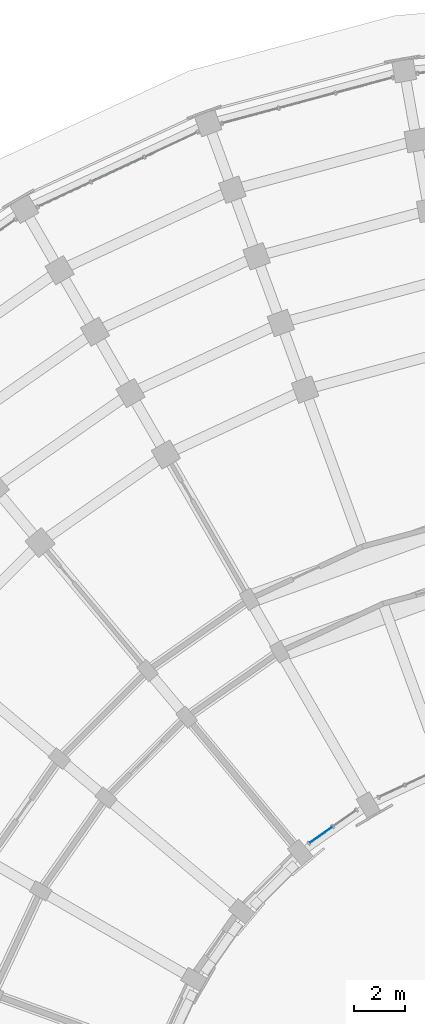
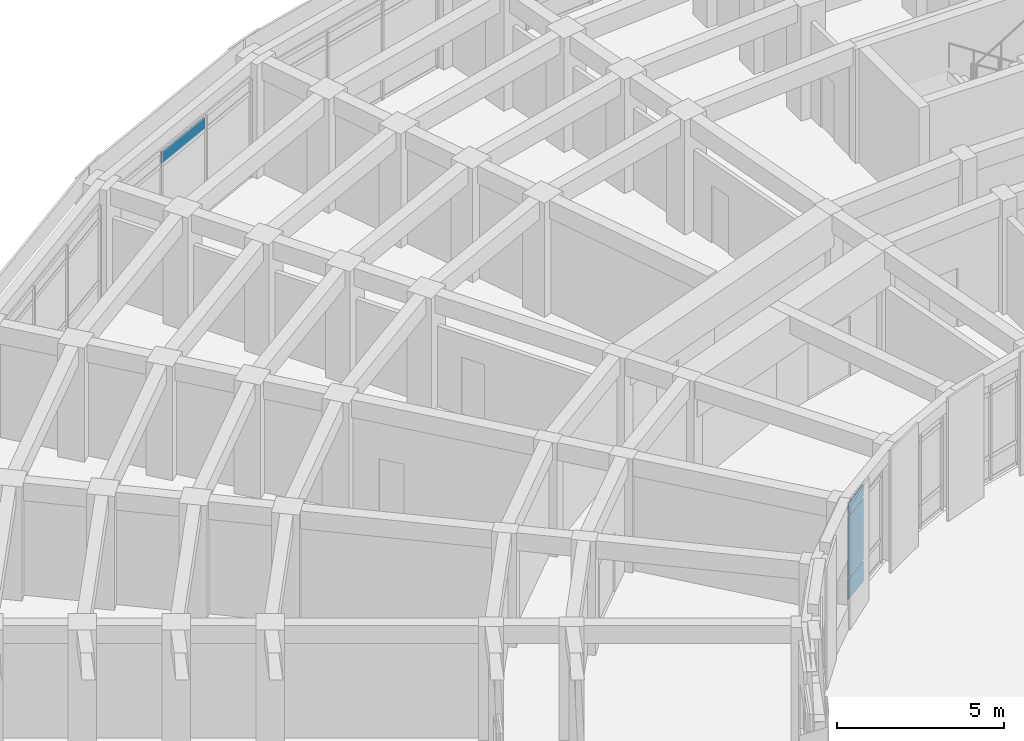
# One storey, part 65 of 135: 4 plates, 2 elements without a shape of their own.
"""IFC4 building model written with IfcOpenShell, lengths in metres."""

from ifc_helpers import new_model, si_unit, direction, frame, origin, origin_2d, place, context, subcontext, project, spatial, rectangle, extrude, material, layer, layer_set, type_object, element, aggregate, save


model = new_model("IFC4")

# Units and contexts
model_context = context("Model", 3, precision=1e-05, world=origin(), true_north=direction((0.0, 1.0)))
body_context = subcontext(model_context, "Body", "Model", "MODEL_VIEW")
ifc_project = project(units=[si_unit("LENGTHUNIT", "METRE"), si_unit("AREAUNIT", "SQUARE_METRE"), si_unit("VOLUMEUNIT", "CUBIC_METRE"), si_unit("PLANEANGLEUNIT", "RADIAN"), si_unit("MASSUNIT", "GRAM", prefix="KILO")], contexts=[model_context])

# Site, building, storey
site_placement = place(None, origin())
site = spatial("IfcSite", under=ifc_project, at=site_placement, CompositionType="ELEMENT")
building_placement = place(site_placement, origin())
building = spatial("IfcBuilding", under=site, at=building_placement, Name="Kiranvali Square Residences", CompositionType="ELEMENT")
storey_placement = place(building_placement, origin())
storey = spatial("IfcBuildingStorey", under=building, at=storey_placement, Name="L00", CompositionType="ELEMENT", Elevation=0.0)

# Curtain wall, plate
ifc_material_1 = material(Name="Anodised bronze aluminium framing", Category="aluminium")
curtain_wall_type = type_object("IfcCurtainWallType", Name="CW-RET-SHOP", PredefinedType="USERDEFINED", material=ifc_material_1)
curtain_wall_1_placement = place(storey_placement, origin())
curtain_wall_1 = element("IfcCurtainWall", 1, at=curtain_wall_1_placement, inside=storey, type_object=curtain_wall_type, Name="Block A L00 rounded-corner arcade curtain wall 3", ObjectType="CURTAIN WALL", PredefinedType="USERDEFINED")
ifc_material_2 = material(Name="Solar-control low-e double glazing", Category="glass")
ifc_layer_1 = layer(ifc_material_2, 0.028076171875)
ifc_layer_set_1 = layer_set([ifc_layer_1], Name="Solar-control low-e double glazing")
plate_type_1 = type_object("IfcPlateType", Name="PLT-CW-GLZ", PredefinedType="CURTAIN_PANEL", material=ifc_layer_set_1)
plate_1_placement = place(storey_placement, frame((28.89697265625, 129.195556640625, 3.14013671875), z_axis=(0.0, 0.0, 1.0), x_axis=(-0.906307787037, -0.422618261741, 0.0)))
plate_1 = element("IfcPlate", 2, at=plate_1_placement, type_object=plate_type_1, Name="CW-A-L00-CRV-02 glazed panel 2.3", PredefinedType="CURTAIN_PANEL", context=body_context, shape_type="SweptSolid", body=[
    extrude(rectangle(XDim=2.239501953125, YDim=0.028076171875, at=origin_2d()), origin(), (0.0, 0.0, 1.0), 0.429931640625),
])
aggregate(curtain_wall_1, [plate_1])

# Curtain wall, plates
curtain_wall_2_placement = place(storey_placement, origin())
curtain_wall_2 = element("IfcCurtainWall", 3, at=curtain_wall_2_placement, inside=storey, type_object=curtain_wall_type, Name="Block A L00 garden foyer curtain wall 4", ObjectType="CURTAIN WALL", PredefinedType="USERDEFINED")
plate_2_placement = place(storey_placement, frame((36.922607421875, 102.913330078125, 0.89013671875), z_axis=(0.0, 0.0, 1.0), x_axis=(-0.819152044289, -0.573576436351, 0.0)))
plate_2 = element("IfcPlate", 4, at=plate_2_placement, type_object=plate_type_1, Name="CW-A-L00-GDN-03 glazed panel 2.2", PredefinedType="CURTAIN_PANEL", context=body_context, shape_type="SweptSolid", body=[
    extrude(rectangle(XDim=1.05859375, YDim=0.028076171875, at=origin_2d()), origin(), (0.0, 0.0, 1.0), 2.219970703125),
])
plate_3_placement = place(storey_placement, frame((36.922607421875, 102.913330078125, 3.18994140625), z_axis=(0.0, 0.0, 1.0), x_axis=(-0.819152044289, -0.573576436351, 0.0)))
plate_3 = element("IfcPlate", 5, at=plate_3_placement, type_object=plate_type_1, Name="CW-A-L00-GDN-03 glazed panel 2.3", PredefinedType="CURTAIN_PANEL", context=body_context, shape_type="SweptSolid", body=[
    extrude(rectangle(XDim=1.05859375, YDim=0.028076171875, at=origin_2d()), origin(), (0.0, 0.0, 1.0), 0.429931640625),
])
ifc_material_3 = material(Name="Honed Porbandar limestone ashlar facade cladding", Category="masonry")
ifc_layer_2 = layer(ifc_material_3, 0.02392578125)
ifc_layer_set_2 = layer_set([ifc_layer_2], Name="Honed Porbandar limestone ashlar facade cladding")
plate_type_2 = type_object("IfcPlateType", Name="PLT-CW-SPN", PredefinedType="SHEET", material=ifc_layer_set_2)
plate_4_placement = place(storey_placement, frame((36.922607421875, 102.913330078125, 0.080078125), z_axis=(0.0, 0.0, 1.0), x_axis=(-0.819152044289, -0.573576436351, 0.0)))
plate_4 = element("IfcPlate", 6, at=plate_4_placement, type_object=plate_type_2, Name="CW-A-L00-GDN-03 spandrel panel 2.1", PredefinedType="SHEET", context=body_context, shape_type="SweptSolid", body=[
    extrude(rectangle(XDim=1.05859375, YDim=0.02392578125, at=origin_2d()), origin(), (0.0, 0.0, 1.0), 0.72998046875),
])
aggregate(curtain_wall_2, [plate_4, plate_2, plate_3])

save(model, "model.ifc")
